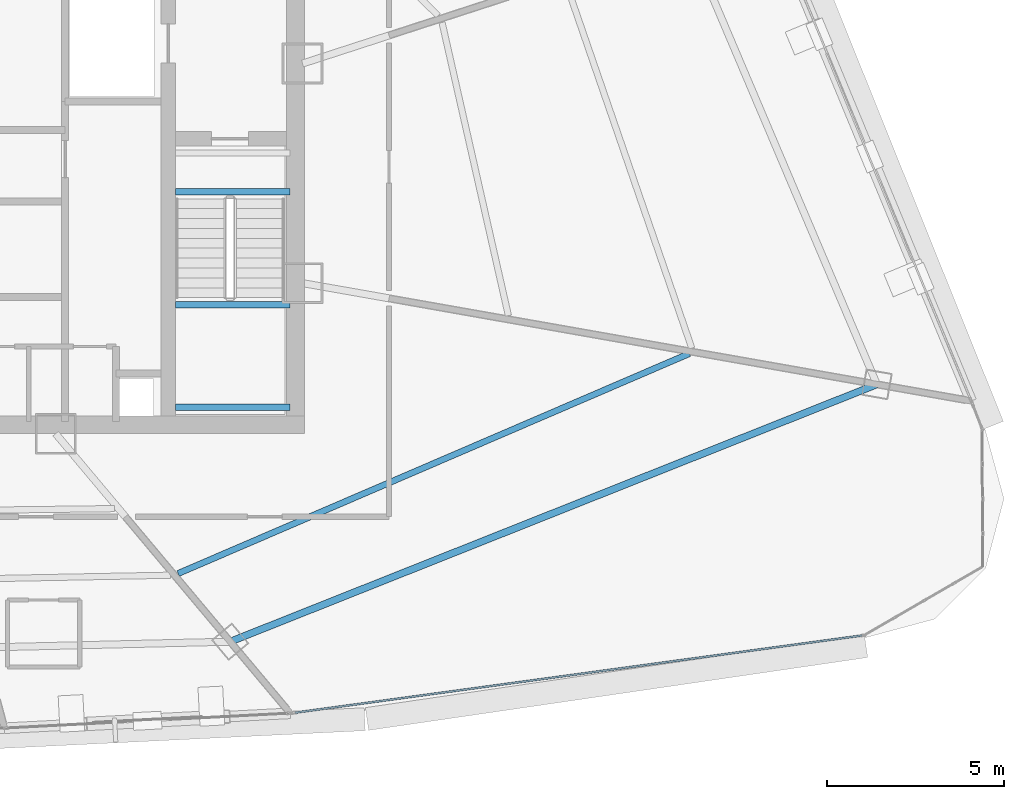
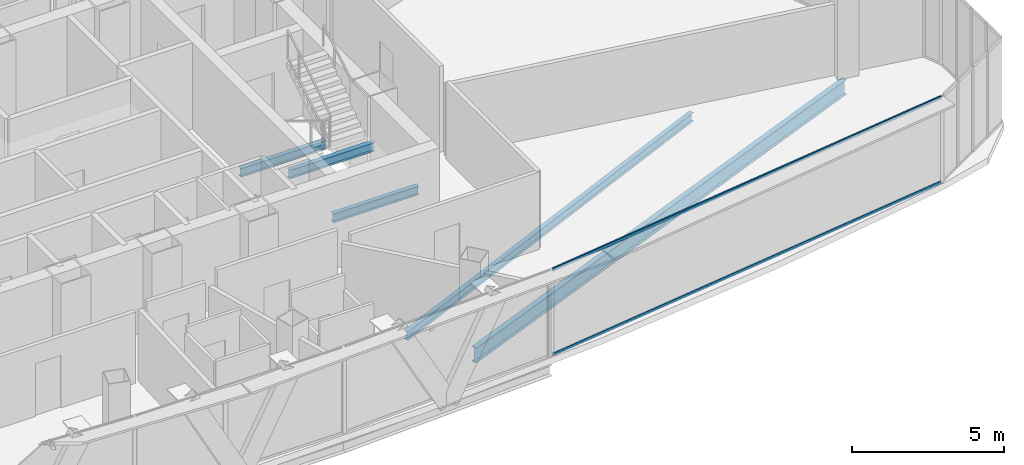
# One storey, part 13 of 39: 5 beams, 2 members, 1 element without a shape of its own.
"""IFC4 building model written with IfcOpenShell, lengths in metres."""

from ifc_helpers import new_model, si_unit, direction, frame, origin, origin_2d, place, context, subcontext, project, spatial, hollow_rectangle, i_section, extrude, source, transform, mapped, material, layer, layer_set, material_profile, profile_set, type_object, element, aggregate, save


model = new_model("IFC4")

# Units and contexts
model_context = context("Model", 3, precision=1e-05, world=origin(), true_north=direction((0.0, 1.0)))
body_context = subcontext(model_context, "Body", "Model", "MODEL_VIEW")
ifc_project = project(units=[si_unit("LENGTHUNIT", "METRE"), si_unit("AREAUNIT", "SQUARE_METRE"), si_unit("VOLUMEUNIT", "CUBIC_METRE"), si_unit("PLANEANGLEUNIT", "RADIAN"), si_unit("MASSUNIT", "GRAM", prefix="KILO"), si_unit("THERMODYNAMICTEMPERATUREUNIT", "KELVIN"), si_unit("POWERUNIT", "WATT")], contexts=[model_context])

# Site, building, storey
site_placement = place(None, origin())
site = spatial("IfcSite", under=ifc_project, at=site_placement, CompositionType="ELEMENT")
building_placement = place(site_placement, origin())
building = spatial("IfcBuilding", under=site, at=building_placement, Name="Yunzhuo Pagoda Commons", CompositionType="ELEMENT")
storey_placement = place(building_placement, frame((0.0, 0.0, 296.2099609375)))
storey = spatial("IfcBuildingStorey", under=building, at=storey_placement, Name="L74", CompositionType="ELEMENT", Elevation=296.2099609375)

# Beams
ifc_material_1 = material(Name="Structural steel Q355B", Category="steel")
ifc_material_profile_1 = material_profile(ifc_material_1, i_section(OverallWidth=0.175048828125, OverallDepth=0.35009765625, WebThickness=0.007080078125, FlangeThickness=0.010986328125, at=origin_2d()), Name="Structural steel Q355B")
ifc_profile_set_1 = profile_set([ifc_material_profile_1], Name="Structural steel Q355B")
beam_type_1 = type_object("IfcBeamType", Name="B-JS2 Joist HN 350x175x7x11", PredefinedType="JOIST", material=ifc_profile_set_1)
shared_shape_1 = source(origin(), body_context, "Body", "SweptSolid", [
    extrude(i_section(OverallWidth=0.175048828125, OverallDepth=0.35009765625, WebThickness=0.007080078125, FlangeThickness=0.010986328125, at=origin_2d()), origin(), (0.0, 0.0, 1.0), 3.25),
])
for number, where, z_axis, x_axis, name in (
    (1, (56.800048828125, 28.0, 1.489990234375), (1.0, 0.0, 0.0), (0.0, 1.0, 0.0), "L74 ST2 landing support beam 80A"),
    (2, (56.800048828125, 30.89990234375, 1.489990234375), (1.0, 0.0, 0.0), (0.0, 1.0, 0.0), "L74 ST2 landing support beam 80B"),
    (3, (56.800048828125, 34.10009765625, -0.375), (1.0, 0.0, 0.0), (0.0, 1.0, 0.0), "L74 ST2 landing support beam 178A"),
):
    element("IfcBeam", number, at=place(storey_placement, frame(where, z_axis=z_axis, x_axis=x_axis)), inside=storey, type_object=beam_type_1, Name=name, PredefinedType="JOIST", context=body_context, shape_type="MappedRepresentation", body=[
        mapped(shared_shape_1, transform((0.0, 0.0, 0.0), scale=1.0)),
    ])
ifc_material_profile_2 = material_profile(ifc_material_1, i_section(OverallWidth=0.199951171875, OverallDepth=0.60009765625, WebThickness=0.010986328125, FlangeThickness=0.01708984375, at=origin_2d()), Name="Structural steel Q355B")
ifc_profile_set_2 = profile_set([ifc_material_profile_2], Name="Structural steel Q355B")
beam_type_2 = type_object("IfcBeamType", Name="B-RG3 Beam HN 600x200x11x17", PredefinedType="BEAM", material=ifc_profile_set_2)
shared_shape_2 = source(origin(), body_context, "Body", "SweptSolid", [
    extrude(i_section(OverallWidth=0.199951171875, OverallDepth=0.60009765625, WebThickness=0.010986328125, FlangeThickness=0.01708984375, at=origin_2d()), origin(), (0.0, 0.0, 1.0), 19.7041015625),
])
beam_1_placement = place(storey_placement, frame((58.353515625, 21.361572265625, -0.56005859375), z_axis=(0.929150216007, 0.369702415592, 0.0), x_axis=(-0.369702415592, 0.929150216007, 0.0)))
element("IfcBeam", 4, at=beam_1_placement, inside=storey, type_object=beam_type_2, Name="L74 column-ring beam 4", PredefinedType="BEAM", context=body_context, shape_type="MappedRepresentation", body=[
    mapped(shared_shape_2, transform((0.0, 0.0, 0.0), scale=1.0)),
])
shared_shape_3 = source(origin(), body_context, "Body", "SweptSolid", [
    extrude(i_section(OverallWidth=0.175048828125, OverallDepth=0.35009765625, WebThickness=0.007080078125, FlangeThickness=0.010986328125, at=origin_2d()), origin(), (0.0, 0.0, 1.0), 15.757080078125),
])
beam_2_placement = place(storey_placement, frame((56.8779296875, 23.291259765625, -0.43505859375), z_axis=(0.918592756952, 0.395205448945, 0.0), x_axis=(-0.395205448945, 0.918592756952, 0.0)))
element("IfcBeam", 5, at=beam_2_placement, inside=storey, type_object=beam_type_1, Name="L74 composite ring joist 2.4", PredefinedType="JOIST", context=body_context, shape_type="MappedRepresentation", body=[
    mapped(shared_shape_3, transform((0.0, 0.0, 0.0), scale=1.0)),
])

# Curtain wall, members
ifc_material_2 = material(Name="Anodized aluminium 6063-T6", Category="aluminium")
ifc_layer = layer(ifc_material_2, 0.139892578125)
ifc_layer_set = layer_set([ifc_layer], Name="Anodized aluminium 6063-T6")
curtain_wall_type = type_object("IfcCurtainWallType", Name="CW-HI High-Zone Ribbon Curtain Wall", PredefinedType="NOTDEFINED", material=ifc_layer_set)
curtain_wall_placement = place(storey_placement, origin())
curtain_wall = element("IfcCurtainWall", 6, at=curtain_wall_placement, inside=storey, type_object=curtain_wall_type, Name="L74 curtain wall CW-L74-F1B5", PredefinedType="NOTDEFINED")
ifc_material_profile_3 = material_profile(ifc_material_2, hollow_rectangle(XDim=0.054931640625, YDim=0.1201171875, WallThickness=0.00341796875, at=origin_2d()), Name="Anodized aluminium 6063-T6")
ifc_profile_set_3 = profile_set([ifc_material_profile_3], Name="Anodized aluminium 6063-T6")
member_type = type_object("IfcMemberType", Name="CW-HI-T Transom RHS 120x55x3.5", PredefinedType="USERDEFINED", material=ifc_profile_set_3)
shared_shape_4 = source(origin(), body_context, "Body", "SweptSolid", [
    extrude(hollow_rectangle(XDim=0.054931640625, YDim=0.1201171875, WallThickness=0.00341796875, at=origin_2d()), origin(), (0.0, 0.0, 1.0), 16.199951171875),
])
member_1_placement = place(storey_placement, frame((60.188720703125, 19.351806640625, 0.027587890625), z_axis=(0.990865990393, 0.134850246879, 0.0), x_axis=(-0.134850246879, 0.990865990393, 0.0)))
member_1 = element("IfcMember", 7, at=member_1_placement, type_object=member_type, Name="CW transom 1.1", ObjectType="TRANSOM", PredefinedType="USERDEFINED", context=body_context, shape_type="MappedRepresentation", body=[
    mapped(shared_shape_4, transform((0.0, 0.0, 0.0), scale=1.0)),
])
member_2_placement = place(storey_placement, frame((60.188720703125, 19.351806640625, 3.442626953125), z_axis=(0.990865990393, 0.134850246879, 0.0), x_axis=(-0.134850246879, 0.990865990393, 0.0)))
member_2 = element("IfcMember", 8, at=member_2_placement, type_object=member_type, Name="CW transom 1.2", ObjectType="TRANSOM", PredefinedType="USERDEFINED", context=body_context, shape_type="MappedRepresentation", body=[
    mapped(shared_shape_4, transform((0.0, 0.0, 0.0), scale=1.0)),
])
aggregate(curtain_wall, [member_1, member_2])

save(model, "model.ifc")
